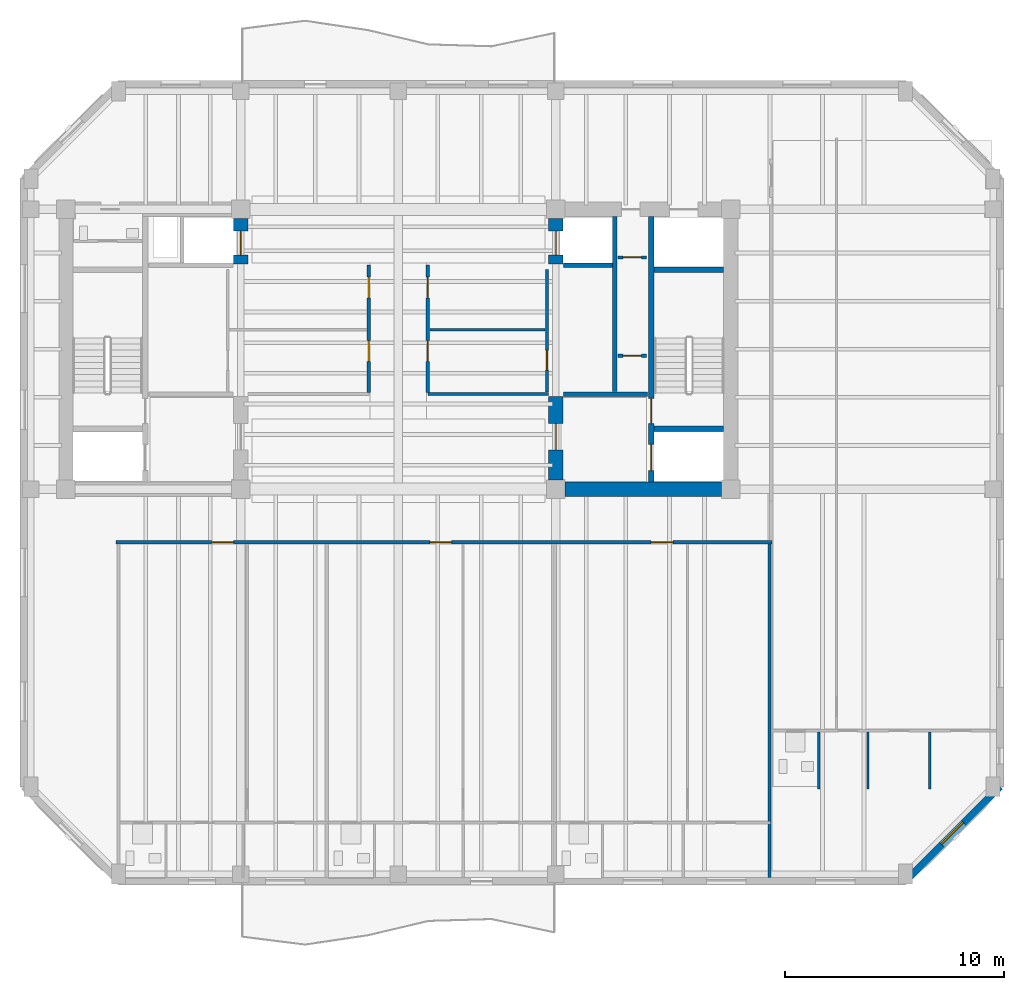
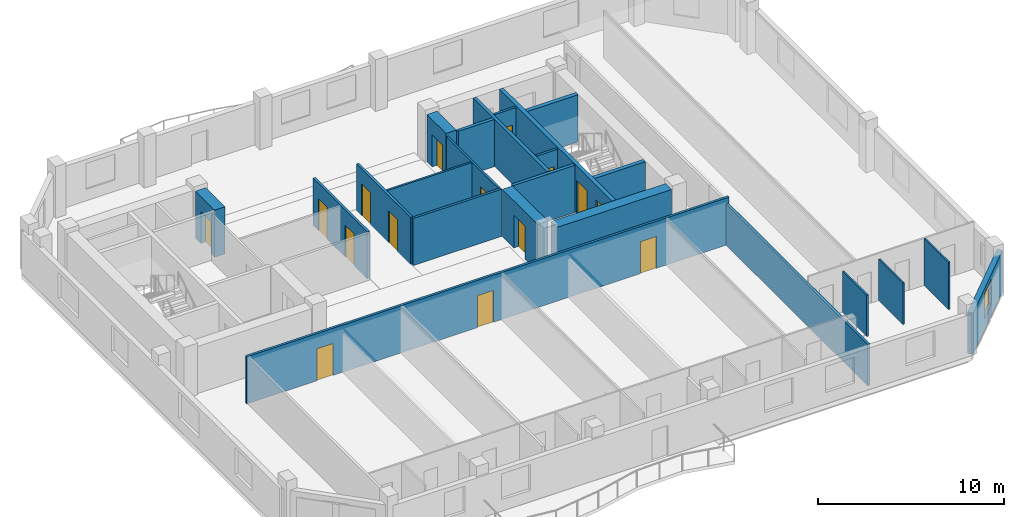
# One storey, part 4 of 10: 23 walls, 15 doors, 1 window, 16 openings.
"""IFC4 building model written with IfcOpenShell, lengths in metres."""

from ifc_helpers import new_model, si_unit, direction, frame, frame_2d, origin, place, context, subcontext, project, spatial, rectangle, extrude, material, layer, layer_set, type_object, element, fill, save


model = new_model("IFC4")

# Units and contexts
model_context = context("Model", 3, precision=1e-05, world=origin(), true_north=direction((0.0, 1.0)))
body_context = subcontext(model_context, "Body", "Model", "MODEL_VIEW")
ifc_project = project(units=[si_unit("LENGTHUNIT", "METRE"), si_unit("AREAUNIT", "SQUARE_METRE"), si_unit("VOLUMEUNIT", "CUBIC_METRE"), si_unit("PLANEANGLEUNIT", "RADIAN"), si_unit("MASSUNIT", "GRAM", prefix="KILO")], contexts=[model_context])

# Site, building, storey
site_placement = place(None, origin())
site = spatial("IfcSite", under=ifc_project, at=site_placement, CompositionType="ELEMENT")
building_placement = place(site_placement, origin())
building = spatial("IfcBuilding", under=site, at=building_placement, Name="Kranthara Brick Stack", CompositionType="ELEMENT")
storey_placement = place(building_placement, frame((0.0, 0.0, 234.699951171875)))
storey = spatial("IfcBuildingStorey", under=building, at=storey_placement, Name="L61", CompositionType="ELEMENT", Elevation=234.699951171875)

# Wall, opening, window
ifc_material_1 = material(Name="Warm buff clay brick masonry M15", Category="masonry")
ifc_layer_1 = layer(ifc_material_1, 0.320068359375)
ifc_layer_set_1 = layer_set([ifc_layer_1], Name="Warm buff clay brick masonry M15")
wall_type_1 = type_object("IfcWallType", Name="WL-BRK-UPPR-320", PredefinedType="STANDARD", material=ifc_layer_set_1)
wall_1_placement = place(storey_placement, frame((55.52001953125, 7.199951171875, 0.0), z_axis=(0.0, 0.0, 1.0), x_axis=(-0.707106781187, -0.707106781187, 0.0)))
wall_1 = element("IfcWall", 1, at=wall_1_placement, inside=storey, type_object=wall_type_1, Name="L61 Exterior Brick Facade Wall SE 1", PredefinedType="STANDARD", context=body_context, shape_type="SweptSolid", body=[
    extrude(rectangle(XDim=6.109619140625, YDim=0.320068359375, at=frame_2d((3.0546875, 0.0))), origin(), (0.0, 0.0, 1.0), 2.72509765625),
])
opening_1_placement = place(wall_1_placement, frame((2.35498046875, 0.0, 0.75)))
opening_1 = element("IfcOpeningElement", 2, at=opening_1_placement, cuts=wall_1, Name="Opening WN10", PredefinedType="OPENING", context=body_context, shape_type="SweptSolid", body=[
    extrude(rectangle(XDim=1.39990234375, YDim=1.64990234375, at=frame_2d((0.699951171875, 0.824951171875))), frame((0.0, 0.169921875, 0.0), z_axis=(0.0, -1.0, 0.0), x_axis=(1.0, 0.0, 0.0)), (0.0, 0.0, 1.0), 0.340087890625),
])
ifc_material_2 = material(Name="Double-glazed low-E solar control glass", Category="glass")
window_type = type_object("IfcWindowType", Name="WN-CHM-1400x1750", PartitioningType="SINGLE_PANEL", PredefinedType="WINDOW", material=ifc_material_2)
window_placement = place(opening_1_placement, origin())
window = element("IfcWindow", 3, at=window_placement, inside=storey, type_object=window_type, Name="L61 SE Chamfer Corner Window", OverallHeight=1.64990234375, OverallWidth=1.39990234375, PartitioningType="SINGLE_PANEL", PredefinedType="WINDOW", context=body_context, shape_type="SweptSolid", body=[
    extrude(rectangle(XDim=1.39990234375, YDim=1.64990234375, at=frame_2d((0.699951171875, 0.824951171875))), frame((0.0, -0.010009765625, 0.0), z_axis=(0.0, -1.0, 0.0), x_axis=(1.0, 0.0, 0.0)), (0.0, 0.0, 1.0), 0.06005859375),
])
fill(opening_1, window)

# Wall, openings, doors
ifc_material_3 = material(Name="Concrete C50/60", Category="concrete")
ifc_layer_2 = layer(ifc_material_3, 0.25)
ifc_layer_set_2 = layer_set([ifc_layer_2], Name="Concrete C50/60")
wall_type_2 = type_object("IfcWallType", Name="WL-CORE-250", PredefinedType="SHEAR", material=ifc_layer_set_2)
wall_2_placement = place(storey_placement, frame((39.56494140625, 21.135009765625, 0.0), z_axis=(0.0, 0.0, 1.0), x_axis=(0.0, 1.0, 0.0)))
wall_2 = element("IfcWall", 4, at=wall_2_placement, inside=storey, type_object=wall_type_2, Name="L61 East Core Stair Bearing Spine Wall", PredefinedType="SHEAR", context=body_context, shape_type="SweptSolid", body=[
    extrude(rectangle(XDim=12.1298828125, YDim=0.25, at=frame_2d((6.06494140625, 0.0))), origin(), (0.0, 0.0, 1.0), 3.10009765625),
])
opening_2_placement = place(wall_2_placement, frame((0.514892578125, 0.0, 0.0)))
opening_2 = element("IfcOpeningElement", 5, at=opening_2_placement, cuts=wall_2, Name="Opening LD01", PredefinedType="OPENING", context=body_context, shape_type="SweptSolid", body=[
    extrude(rectangle(XDim=1.199951171875, YDim=2.14990234375, at=frame_2d((0.60009765625, 1.074951171875))), frame((0.0, 0.135009765625, 0.0), z_axis=(0.0, -1.0, 0.0), x_axis=(1.0, 0.0, 0.0)), (0.0, 0.0, 1.0), 0.27001953125),
])
opening_3_placement = place(wall_2_placement, frame((2.6650390625, 0.0, 0.0)))
opening_3 = element("IfcOpeningElement", 6, at=opening_3_placement, cuts=wall_2, Name="Opening D05", PredefinedType="OPENING", context=body_context, shape_type="SweptSolid", body=[
    extrude(rectangle(XDim=1.14990234375, YDim=2.14990234375, at=frame_2d((0.574951171875, 1.074951171875))), frame((0.0, 0.135009765625, 0.0), z_axis=(0.0, -1.0, 0.0), x_axis=(1.0, 0.0, 0.0)), (0.0, 0.0, 1.0), 0.27001953125),
])
ifc_material_4 = material(Name="Stainless steel sliding landing door", Category="steel")
door_type_1 = type_object("IfcDoorType", Name="DR-LD-FF1200", OperationType="DOUBLE_DOOR_SLIDING", PredefinedType="DOOR", material=ifc_material_4)
door_1_placement = place(opening_2_placement, origin())
door_1 = element("IfcDoor", 7, at=door_1_placement, inside=storey, type_object=door_type_1, Name="L61 Firefighting Lift FF-02 Landing Door", OperationType="DOUBLE_DOOR_SLIDING", OverallHeight=2.14990234375, OverallWidth=1.199951171875, PredefinedType="DOOR", context=body_context, shape_type="SweptSolid", body=[
    extrude(rectangle(XDim=1.199951171875, YDim=2.14990234375, at=frame_2d((0.60009765625, 1.074951171875))), frame((0.0, 0.02490234375, 0.0), z_axis=(0.0, -1.0, 0.0), x_axis=(1.0, 0.0, 0.0)), (0.0, 0.0, 1.0), 0.050048828125),
])
fill(opening_2, door_1)
ifc_material_5 = material(Name="Solid-core hardwood timber leaf in steel frame", Category="steel")
door_type_2 = type_object("IfcDoorType", Name="DR-ST-1150", OperationType="NOTDEFINED", PredefinedType="DOOR", material=ifc_material_5)
door_2_placement = place(opening_3_placement, origin())
door_2 = element("IfcDoor", 8, at=door_2_placement, inside=storey, type_object=door_type_2, Name="L61 Exit Stair ST02 Door", OperationType="SINGLE_SWING_LEFT", OverallHeight=2.14990234375, OverallWidth=1.14990234375, PredefinedType="DOOR", context=body_context, shape_type="SweptSolid", body=[
    extrude(rectangle(XDim=1.14990234375, YDim=2.14990234375, at=frame_2d((0.574951171875, 1.074951171875))), frame((0.0, 0.02490234375, 0.0), z_axis=(0.0, -1.0, 0.0), x_axis=(1.0, 0.0, 0.0)), (0.0, 0.0, 1.0), 0.050048828125),
])
fill(opening_3, door_2)

# Walls
for number, where, z_axis, x_axis, name in (
    (9, (39.68994140625, 23.570068359375, 0.0), (0.0, 0.0, 1.0), (1.0, 0.0, 0.0), "L61 East Stairwell Bearing Wall EFF"),
    (10, (39.68994140625, 30.830078125, 0.0), (0.0, 0.0, 1.0), (1.0, 0.0, 0.0), "L61 East Stairwell Bearing Wall EST"),
):
    element("IfcWall", number, at=place(storey_placement, frame(where, z_axis=z_axis, x_axis=x_axis)), inside=storey, type_object=wall_type_2, Name=name, PredefinedType="SHEAR", context=body_context, shape_type="SweptSolid", body=[
        extrude(rectangle(XDim=3.175048828125, YDim=0.25, at=frame_2d((1.58740234375, 0.0))), origin(), (0.0, 0.0, 1.0), 3.10009765625),
    ])

# Wall, opening, door
ifc_material_6 = material(Name="Concrete C60/75", Category="concrete")
ifc_layer_3 = layer(ifc_material_6, 0.64990234375)
ifc_layer_set_3 = layer_set([ifc_layer_3], Name="Concrete C60/75")
wall_type_3 = type_object("IfcWallType", Name="WL-CORE-650", PredefinedType="SHEAR", material=ifc_layer_set_3)
wall_3_placement = place(storey_placement, frame((20.800048828125, 31.10009765625, 0.0), z_axis=(0.0, 0.0, 1.0), x_axis=(0.0, 1.0, 0.0)))
wall_3 = element("IfcWall", 11, at=wall_3_placement, inside=storey, type_object=wall_type_3, Name="L61 West Core High-Rise Lift Wall", PredefinedType="SHEAR", context=body_context, shape_type="SweptSolid", body=[
    extrude(rectangle(XDim=2.06982421875, YDim=0.64990234375, at=frame_2d((1.034912109375, 0.0))), origin(), (0.0, 0.0, 1.0), 3.10009765625),
])
opening_4_placement = place(wall_3_placement, frame((0.39990234375, 0.0, 0.0)))
opening_4 = element("IfcOpeningElement", 12, at=opening_4_placement, cuts=wall_3, Name="Opening LD02", PredefinedType="OPENING", context=body_context, shape_type="SweptSolid", body=[
    extrude(rectangle(XDim=1.10009765625, YDim=2.10009765625, at=frame_2d((0.550048828125, 1.050048828125))), frame((0.0, 0.3349609375, 0.0), z_axis=(0.0, -1.0, 0.0), x_axis=(1.0, 0.0, 0.0)), (0.0, 0.0, 1.0), 0.669921875),
])
ifc_material_7 = material(Name="Stainless steel sliding landing door", Category="steel")
door_type_3 = type_object("IfcDoorType", Name="DR-LD-PL1100", OperationType="DOUBLE_DOOR_SLIDING", PredefinedType="DOOR", material=ifc_material_7)
door_3_placement = place(opening_4_placement, origin())
door_3 = element("IfcDoor", 13, at=door_3_placement, inside=storey, type_object=door_type_3, Name="L61 PL-07 Lift Landing Door", OperationType="DOUBLE_DOOR_SLIDING", OverallHeight=2.10009765625, OverallWidth=1.10009765625, PredefinedType="DOOR", context=body_context, shape_type="SweptSolid", body=[
    extrude(rectangle(XDim=1.10009765625, YDim=2.10009765625, at=frame_2d((0.550048828125, 1.050048828125))), frame((0.0, 0.02490234375, 0.0), z_axis=(0.0, -1.0, 0.0), x_axis=(1.0, 0.0, 0.0)), (0.0, 0.0, 1.0), 0.050048828125),
])
fill(opening_4, door_3)

# Wall
wall_4_placement = place(storey_placement, frame((35.6298828125, 20.800048828125, 0.0), z_axis=(0.0, 0.0, 1.0), x_axis=(1.0, 0.0, 0.0)))
element("IfcWall", 14, at=wall_4_placement, inside=storey, type_object=wall_type_3, Name="L61 East Core Shear Wall South", PredefinedType="SHEAR", context=body_context, shape_type="SweptSolid", body=[
    extrude(rectangle(XDim=7.14013671875, YDim=0.64990234375, at=frame_2d((3.570068359375, 0.0))), origin(), (0.0, 0.0, 1.0), 3.10009765625),
])

# Wall, opening, door
wall_5_placement = place(storey_placement, frame((35.199951171875, 21.22998046875, 0.0), z_axis=(0.0, 0.0, 1.0), x_axis=(0.0, 1.0, 0.0)))
wall_5 = element("IfcWall", 15, at=wall_5_placement, inside=storey, type_object=wall_type_3, Name="L61 East Core Lobby Shear Wall", PredefinedType="SHEAR", context=body_context, shape_type="SweptSolid", body=[
    extrude(rectangle(XDim=3.820068359375, YDim=0.64990234375, at=frame_2d((1.91015625, 0.0))), origin(), (0.0, 0.0, 1.0), 3.10009765625),
])
opening_5_placement = place(wall_5_placement, frame((1.3701171875, 0.0, 0.0)))
opening_5 = element("IfcOpeningElement", 16, at=opening_5_placement, cuts=wall_5, Name="Opening D06", PredefinedType="OPENING", context=body_context, shape_type="SweptSolid", body=[
    extrude(rectangle(XDim=1.199951171875, YDim=2.14990234375, at=frame_2d((0.60009765625, 1.074951171875))), frame((0.0, 0.3349609375, 0.0), z_axis=(0.0, -1.0, 0.0), x_axis=(1.0, 0.0, 0.0)), (0.0, 0.0, 1.0), 0.669921875),
])
ifc_material_8 = material(Name="Solid-core hardwood timber leaf in steel frame", Category="steel")
door_type_4 = type_object("IfcDoorType", Name="DR-FFL-1200", OperationType="NOTDEFINED", PredefinedType="DOOR", material=ifc_material_8)
door_4_placement = place(opening_5_placement, origin())
door_4 = element("IfcDoor", 17, at=door_4_placement, inside=storey, type_object=door_type_4, Name="L61 East Firefighting Lobby Door", OperationType="SINGLE_SWING_RIGHT", OverallHeight=2.14990234375, OverallWidth=1.199951171875, PredefinedType="DOOR", context=body_context, shape_type="SweptSolid", body=[
    extrude(rectangle(XDim=1.199951171875, YDim=2.14990234375, at=frame_2d((0.60009765625, 1.074951171875))), frame((0.0, 0.02490234375, 0.0), z_axis=(0.0, -1.0, 0.0), x_axis=(1.0, 0.0, 0.0)), (0.0, 0.0, 1.0), 0.050048828125),
])
fill(opening_5, door_4)

wall_6_placement = place(storey_placement, frame((35.199951171875, 31.10009765625, 0.0), z_axis=(0.0, 0.0, 1.0), x_axis=(0.0, 1.0, 0.0)))
wall_6 = element("IfcWall", 18, at=wall_6_placement, inside=storey, type_object=wall_type_3, Name="L61 East Core High-Rise Lift Wall", PredefinedType="SHEAR", context=body_context, shape_type="SweptSolid", body=[
    extrude(rectangle(XDim=2.06982421875, YDim=0.64990234375, at=frame_2d((1.034912109375, 0.0))), origin(), (0.0, 0.0, 1.0), 3.10009765625),
])
opening_6_placement = place(wall_6_placement, frame((0.39990234375, 0.0, 0.0)))
opening_6 = element("IfcOpeningElement", 19, at=opening_6_placement, cuts=wall_6, Name="Opening LD02", PredefinedType="OPENING", context=body_context, shape_type="SweptSolid", body=[
    extrude(rectangle(XDim=1.10009765625, YDim=2.10009765625, at=frame_2d((0.550048828125, 1.050048828125))), frame((0.0, 0.3349609375, 0.0), z_axis=(0.0, -1.0, 0.0), x_axis=(1.0, 0.0, 0.0)), (0.0, 0.0, 1.0), 0.669921875),
])
door_5_placement = place(opening_6_placement, origin())
door_5 = element("IfcDoor", 20, at=door_5_placement, inside=storey, type_object=door_type_3, Name="L61 PL-08 Lift Landing Door", OperationType="DOUBLE_DOOR_SLIDING", OverallHeight=2.10009765625, OverallWidth=1.10009765625, PredefinedType="DOOR", context=body_context, shape_type="SweptSolid", body=[
    extrude(rectangle(XDim=1.10009765625, YDim=2.10009765625, at=frame_2d((0.550048828125, 1.050048828125))), frame((0.0, 0.02490234375, 0.0), z_axis=(0.0, -1.0, 0.0), x_axis=(1.0, 0.0, 0.0)), (0.0, 0.0, 1.0), 0.050048828125),
])
fill(opening_6, door_5)

# Walls
ifc_material_9 = material(Name="Moisture-resistant wet-room partition", Category="other")
ifc_layer_4 = layer(ifc_material_9, 0.10009765625)
ifc_layer_set_4 = layer_set([ifc_layer_4], Name="Moisture-resistant wet-room partition")
wall_type_4 = type_object("IfcWallType", Name="WL-PART-100", PredefinedType="PARTITIONING", material=ifc_layer_set_4)
for number, where, z_axis, x_axis, name in (
    (21, (47.22412109375, 7.080078125, 0.0), (0.0, 0.0, 1.0), (0.0, 1.0, 0.0), "L61 Interior Partition 036"),
    (22, (49.48193359375, 7.080078125, 0.0), (0.0, 0.0, 1.0), (0.0, 1.0, 0.0), "L61 Interior Partition 037"),
):
    element("IfcWall", number, at=place(storey_placement, frame(where, z_axis=z_axis, x_axis=x_axis)), inside=storey, type_object=wall_type_4, Name=name, PredefinedType="PARTITIONING", context=body_context, shape_type="SweptSolid", body=[
        extrude(rectangle(XDim=2.614990234375, YDim=0.10009765625, at=frame_2d((1.3076171875, 0.0))), origin(), (0.0, 0.0, 1.0), 2.72509765625),
    ])
wall_7_placement = place(storey_placement, frame((52.305908203125, 7.080078125, 0.0), z_axis=(0.0, 0.0, 1.0), x_axis=(0.0, 1.0, 0.0)))
element("IfcWall", 23, at=wall_7_placement, inside=storey, type_object=wall_type_4, Name="L61 Interior Partition 038", PredefinedType="PARTITIONING", context=body_context, shape_type="SweptSolid", body=[
    extrude(rectangle(XDim=2.614990234375, YDim=0.10009765625, at=frame_2d((1.3076171875, 0.0))), origin(), (0.0, 0.0, 1.0), 3.10009765625),
])

# Wall, opening, door
ifc_material_10 = material(Name="Acoustic gypsum plasterboard partition", Category="other")
ifc_layer_5 = layer(ifc_material_10, 0.1201171875)
ifc_layer_set_5 = layer_set([ifc_layer_5], Name="Acoustic gypsum plasterboard partition")
wall_type_5 = type_object("IfcWallType", Name="WL-PART-120", PredefinedType="PARTITIONING", material=ifc_layer_set_5)
wall_8_placement = place(storey_placement, frame((34.800048828125, 25.25, 0.0), z_axis=(0.0, 0.0, 1.0), x_axis=(0.0, 1.0, 0.0)))
wall_8 = element("IfcWall", 24, at=wall_8_placement, inside=storey, type_object=wall_type_5, Name="L61 Interior Partition 010", PredefinedType="PARTITIONING", context=body_context, shape_type="SweptSolid", body=[
    extrude(rectangle(XDim=5.60009765625, YDim=0.1201171875, at=frame_2d((2.800048828125, 0.0))), origin(), (0.0, 0.0, 1.0), 3.10009765625),
])
opening_7_placement = place(wall_8_placement, frame((1.0, 0.0, 0.0)))
opening_7 = element("IfcOpeningElement", 25, at=opening_7_placement, cuts=wall_8, Name="Opening D15", PredefinedType="OPENING", context=body_context, shape_type="SweptSolid", body=[
    extrude(rectangle(XDim=0.89990234375, YDim=2.050048828125, at=frame_2d((0.449951171875, 1.02490234375))), frame((0.0, 0.070068359375, 0.0), z_axis=(0.0, -1.0, 0.0), x_axis=(1.0, 0.0, 0.0)), (0.0, 0.0, 1.0), 0.14013671875),
])
ifc_material_11 = material(Name="Solid-core hardwood timber leaf in steel frame", Category="steel")
door_type_5 = type_object("IfcDoorType", Name="DR-INT-900", OperationType="NOTDEFINED", PredefinedType="DOOR", material=ifc_material_11)
door_6_placement = place(opening_7_placement, origin())
door_6 = element("IfcDoor", 26, at=door_6_placement, inside=storey, type_object=door_type_5, Name="L61 Yoga Studio Door 07", OperationType="SINGLE_SWING_LEFT", OverallHeight=2.050048828125, OverallWidth=0.89990234375, PredefinedType="DOOR", context=body_context, shape_type="SweptSolid", body=[
    extrude(rectangle(XDim=0.89990234375, YDim=2.050048828125, at=frame_2d((0.449951171875, 1.02490234375))), frame((0.0, 0.02490234375, 0.0), z_axis=(0.0, -1.0, 0.0), x_axis=(1.0, 0.0, 0.0)), (0.0, 0.0, 1.0), 0.050048828125),
])
fill(opening_7, door_6)

# Wall
wall_9_placement = place(storey_placement, frame((29.449951171875, 28.10009765625, 0.0), z_axis=(0.0, 0.0, 1.0), x_axis=(1.0, 0.0, 0.0)))
element("IfcWall", 27, at=wall_9_placement, inside=storey, type_object=wall_type_5, Name="L61 Interior Partition 011", PredefinedType="PARTITIONING", context=body_context, shape_type="SweptSolid", body=[
    extrude(rectangle(XDim=5.27001953125, YDim=0.1201171875, at=frame_2d((2.635009765625, 0.0))), origin(), (0.0, 0.0, 1.0), 3.10009765625),
])

# Wall, opening, door
ifc_material_12 = material(Name="Fire-rated gypsum board partition", Category="other")
ifc_layer_6 = layer(ifc_material_12, 0.14990234375)
ifc_layer_set_6 = layer_set([ifc_layer_6], Name="Fire-rated gypsum board partition")
wall_type_6 = type_object("IfcWallType", Name="WL-PART-150", PredefinedType="PARTITIONING", material=ifc_layer_set_6)
wall_10_placement = place(storey_placement, frame((38.050048828125, 26.89990234375, 0.0), z_axis=(0.0, 0.0, 1.0), x_axis=(1.0, 0.0, 0.0)))
wall_10 = element("IfcWall", 28, at=wall_10_placement, inside=storey, type_object=wall_type_6, Name="L61 Interior Partition 002", PredefinedType="PARTITIONING", context=body_context, shape_type="SweptSolid", body=[
    extrude(rectangle(XDim=1.300048828125, YDim=0.14990234375, at=frame_2d((0.64990234375, 0.0))), origin(), (0.0, 0.0, 1.0), 3.10009765625),
])
opening_8_placement = place(wall_10_placement, frame((0.219970703125, 0.0, 0.0)))
opening_8 = element("IfcOpeningElement", 29, at=opening_8_placement, cuts=wall_10, Name="Opening D10", PredefinedType="OPENING", context=body_context, shape_type="SweptSolid", body=[
    extrude(rectangle(XDim=0.85009765625, YDim=2.02001953125, at=frame_2d((0.425048828125, 1.010009765625))), frame((0.0, 0.0849609375, 0.0), z_axis=(0.0, -1.0, 0.0), x_axis=(1.0, 0.0, 0.0)), (0.0, 0.0, 1.0), 0.169921875),
])
ifc_material_13 = material(Name="Solid-core hardwood timber leaf in steel frame", Category="steel")
door_type_6 = type_object("IfcDoorType", Name="DR-RSR-850", OperationType="NOTDEFINED", PredefinedType="DOOR", material=ifc_material_13)
door_7_placement = place(opening_8_placement, origin())
door_7 = element("IfcDoor", 30, at=door_7_placement, inside=storey, type_object=door_type_6, Name="L61 East Valve Door 02", OperationType="SINGLE_SWING_RIGHT", OverallHeight=2.02001953125, OverallWidth=0.85009765625, PredefinedType="DOOR", context=body_context, shape_type="SweptSolid", body=[
    extrude(rectangle(XDim=0.85009765625, YDim=2.02001953125, at=frame_2d((0.425048828125, 1.010009765625))), frame((0.0, 0.02490234375, 0.0), z_axis=(0.0, -1.0, 0.0), x_axis=(1.0, 0.0, 0.0)), (0.0, 0.0, 1.0), 0.050048828125),
])
fill(opening_8, door_7)

wall_11_placement = place(storey_placement, frame((38.050048828125, 31.39990234375, 0.0), z_axis=(0.0, 0.0, 1.0), x_axis=(1.0, 0.0, 0.0)))
wall_11 = element("IfcWall", 31, at=wall_11_placement, inside=storey, type_object=wall_type_6, Name="L61 Interior Partition 003", PredefinedType="PARTITIONING", context=body_context, shape_type="SweptSolid", body=[
    extrude(rectangle(XDim=1.300048828125, YDim=0.14990234375, at=frame_2d((0.64990234375, 0.0))), origin(), (0.0, 0.0, 1.0), 3.10009765625),
])
opening_9_placement = place(wall_11_placement, frame((0.219970703125, 0.0, 0.0)))
opening_9 = element("IfcOpeningElement", 32, at=opening_9_placement, cuts=wall_11, Name="Opening D10", PredefinedType="OPENING", context=body_context, shape_type="SweptSolid", body=[
    extrude(rectangle(XDim=0.85009765625, YDim=2.02001953125, at=frame_2d((0.425048828125, 1.010009765625))), frame((0.0, 0.0849609375, 0.0), z_axis=(0.0, -1.0, 0.0), x_axis=(1.0, 0.0, 0.0)), (0.0, 0.0, 1.0), 0.169921875),
])
door_8_placement = place(opening_9_placement, origin())
door_8 = element("IfcDoor", 33, at=door_8_placement, inside=storey, type_object=door_type_6, Name="L61 East Switch Door 03", OperationType="SINGLE_SWING_LEFT", OverallHeight=2.02001953125, OverallWidth=0.85009765625, PredefinedType="DOOR", context=body_context, shape_type="SweptSolid", body=[
    extrude(rectangle(XDim=0.85009765625, YDim=2.02001953125, at=frame_2d((0.425048828125, 1.010009765625))), frame((0.0, 0.02490234375, 0.0), z_axis=(0.0, -1.0, 0.0), x_axis=(1.0, 0.0, 0.0)), (0.0, 0.0, 1.0), 0.050048828125),
])
fill(opening_9, door_8)

# Wall
wall_12_placement = place(storey_placement, frame((29.35009765625, 25.14990234375, 0.0), z_axis=(0.0, 0.0, 1.0), x_axis=(1.0, 0.0, 0.0)))
element("IfcWall", 34, at=wall_12_placement, inside=storey, type_object=wall_type_6, Name="L61 Interior Partition 005", PredefinedType="PARTITIONING", context=body_context, shape_type="SweptSolid", body=[
    extrude(rectangle(XDim=5.52001953125, YDim=0.14990234375, at=frame_2d((2.760009765625, 0.0))), origin(), (0.0, 0.0, 1.0), 3.10009765625),
])

# Wall, openings, doors
wall_13_placement = place(storey_placement, frame((26.64990234375, 25.22998046875, 0.0), z_axis=(0.0, 0.0, 1.0), x_axis=(0.0, 1.0, 0.0)))
wall_13 = element("IfcWall", 35, at=wall_13_placement, inside=storey, type_object=wall_type_6, Name="L61 Interior Partition 006", PredefinedType="PARTITIONING", context=body_context, shape_type="SweptSolid", body=[
    extrude(rectangle(XDim=5.820068359375, YDim=0.14990234375, at=frame_2d((2.91015625, 0.0))), origin(), (0.0, 0.0, 1.0), 3.10009765625),
])
opening_10_placement = place(wall_13_placement, frame((1.419921875, 0.0, 0.0)))
opening_10 = element("IfcOpeningElement", 36, at=opening_10_placement, cuts=wall_13, Name="Opening D09", PredefinedType="OPENING", context=body_context, shape_type="SweptSolid", body=[
    extrude(rectangle(XDim=0.949951171875, YDim=2.10009765625, at=frame_2d((0.47509765625, 1.050048828125))), frame((0.0, 0.0849609375, 0.0), z_axis=(0.0, -1.0, 0.0), x_axis=(1.0, 0.0, 0.0)), (0.0, 0.0, 1.0), 0.169921875),
])
opening_11_placement = place(wall_13_placement, frame((4.320068359375, 0.0, 0.0)))
opening_11 = element("IfcOpeningElement", 37, at=opening_11_placement, cuts=wall_13, Name="Opening D09", PredefinedType="OPENING", context=body_context, shape_type="SweptSolid", body=[
    extrude(rectangle(XDim=0.949951171875, YDim=2.10009765625, at=frame_2d((0.47509765625, 1.050048828125))), frame((0.0, 0.0849609375, 0.0), z_axis=(0.0, -1.0, 0.0), x_axis=(1.0, 0.0, 0.0)), (0.0, 0.0, 1.0), 0.169921875),
])
ifc_material_14 = material(Name="Solid-core hardwood timber leaf in steel frame", Category="steel")
door_type_7 = type_object("IfcDoorType", Name="DR-FD-950", OperationType="NOTDEFINED", PredefinedType="DOOR", material=ifc_material_14)
door_9_placement = place(opening_10_placement, origin())
door_9 = element("IfcDoor", 38, at=door_9_placement, inside=storey, type_object=door_type_7, Name="L61 Sky Club Reading Room 05", OperationType="SINGLE_SWING_LEFT", OverallHeight=2.10009765625, OverallWidth=0.949951171875, PredefinedType="DOOR", context=body_context, shape_type="SweptSolid", body=[
    extrude(rectangle(XDim=0.949951171875, YDim=2.10009765625, at=frame_2d((0.47509765625, 1.050048828125))), frame((0.0, 0.02490234375, 0.0), z_axis=(0.0, -1.0, 0.0), x_axis=(1.0, 0.0, 0.0)), (0.0, 0.0, 1.0), 0.050048828125),
])
fill(opening_10, door_9)
door_10_placement = place(opening_11_placement, origin())
door_10 = element("IfcDoor", 39, at=door_10_placement, inside=storey, type_object=door_type_7, Name="L61 Sky Club Card Salon 06", OperationType="SINGLE_SWING_RIGHT", OverallHeight=2.10009765625, OverallWidth=0.949951171875, PredefinedType="DOOR", context=body_context, shape_type="SweptSolid", body=[
    extrude(rectangle(XDim=0.949951171875, YDim=2.10009765625, at=frame_2d((0.47509765625, 1.050048828125))), frame((0.0, 0.02490234375, 0.0), z_axis=(0.0, -1.0, 0.0), x_axis=(1.0, 0.0, 0.0)), (0.0, 0.0, 1.0), 0.050048828125),
])
fill(opening_11, door_10)

wall_14_placement = place(storey_placement, frame((29.35009765625, 25.22998046875, 0.0), z_axis=(0.0, 0.0, 1.0), x_axis=(0.0, 1.0, 0.0)))
wall_14 = element("IfcWall", 40, at=wall_14_placement, inside=storey, type_object=wall_type_6, Name="L61 Interior Partition 009", PredefinedType="PARTITIONING", context=body_context, shape_type="SweptSolid", body=[
    extrude(rectangle(XDim=5.820068359375, YDim=0.14990234375, at=frame_2d((2.91015625, 0.0))), origin(), (0.0, 0.0, 1.0), 3.10009765625),
])
opening_12_placement = place(wall_14_placement, frame((1.419921875, 0.0, 0.0)))
opening_12 = element("IfcOpeningElement", 41, at=opening_12_placement, cuts=wall_14, Name="Opening D09", PredefinedType="OPENING", context=body_context, shape_type="SweptSolid", body=[
    extrude(rectangle(XDim=0.949951171875, YDim=2.10009765625, at=frame_2d((0.47509765625, 1.050048828125))), frame((0.0, 0.0849609375, 0.0), z_axis=(0.0, -1.0, 0.0), x_axis=(1.0, 0.0, 0.0)), (0.0, 0.0, 1.0), 0.169921875),
])
opening_13_placement = place(wall_14_placement, frame((4.320068359375, 0.0, 0.0)))
opening_13 = element("IfcOpeningElement", 42, at=opening_13_placement, cuts=wall_14, Name="Opening D09", PredefinedType="OPENING", context=body_context, shape_type="SweptSolid", body=[
    extrude(rectangle(XDim=0.949951171875, YDim=2.10009765625, at=frame_2d((0.47509765625, 1.050048828125))), frame((0.0, 0.0849609375, 0.0), z_axis=(0.0, -1.0, 0.0), x_axis=(1.0, 0.0, 0.0)), (0.0, 0.0, 1.0), 0.169921875),
])
door_11_placement = place(opening_12_placement, origin())
door_11 = element("IfcDoor", 43, at=door_11_placement, inside=storey, type_object=door_type_7, Name="L61 Drawing Salon 08", OperationType="SINGLE_SWING_RIGHT", OverallHeight=2.10009765625, OverallWidth=0.949951171875, PredefinedType="DOOR", context=body_context, shape_type="SweptSolid", body=[
    extrude(rectangle(XDim=0.949951171875, YDim=2.10009765625, at=frame_2d((0.47509765625, 1.050048828125))), frame((0.0, 0.02490234375, 0.0), z_axis=(0.0, -1.0, 0.0), x_axis=(1.0, 0.0, 0.0)), (0.0, 0.0, 1.0), 0.050048828125),
])
fill(opening_12, door_11)
door_12_placement = place(opening_13_placement, origin())
door_12 = element("IfcDoor", 44, at=door_12_placement, inside=storey, type_object=door_type_7, Name="L61 Board Games Room 09", OperationType="SINGLE_SWING_LEFT", OverallHeight=2.10009765625, OverallWidth=0.949951171875, PredefinedType="DOOR", context=body_context, shape_type="SweptSolid", body=[
    extrude(rectangle(XDim=0.949951171875, YDim=2.10009765625, at=frame_2d((0.47509765625, 1.050048828125))), frame((0.0, 0.02490234375, 0.0), z_axis=(0.0, -1.0, 0.0), x_axis=(1.0, 0.0, 0.0)), (0.0, 0.0, 1.0), 0.050048828125),
])
fill(opening_13, door_12)

wall_15_placement = place(storey_placement, frame((15.080078125, 18.3798828125, 0.0), z_axis=(0.0, 0.0, 1.0), x_axis=(1.0, 0.0, 0.0)))
wall_15 = element("IfcWall", 45, at=wall_15_placement, inside=storey, type_object=wall_type_6, Name="L61 Interior Partition 012", PredefinedType="PARTITIONING", context=body_context, shape_type="SweptSolid", body=[
    extrude(rectangle(XDim=30.02001953125, YDim=0.14990234375, at=frame_2d((15.010009765625, 0.0))), origin(), (0.0, 0.0, 1.0), 3.10009765625),
])
opening_14_placement = place(wall_15_placement, frame((4.385009765625, 0.0, 0.0)))
opening_14 = element("IfcOpeningElement", 46, at=opening_14_placement, cuts=wall_15, Name="Opening D08", PredefinedType="OPENING", context=body_context, shape_type="SweptSolid", body=[
    extrude(rectangle(XDim=1.0, YDim=2.10009765625, at=frame_2d((0.5, 1.050048828125))), frame((0.0, 0.0849609375, 0.0), z_axis=(0.0, -1.0, 0.0), x_axis=(1.0, 0.0, 0.0)), (0.0, 0.0, 1.0), 0.169921875),
])
opening_15_placement = place(wall_15_placement, frame((14.361083984375, 0.0, 0.0)))
opening_15 = element("IfcOpeningElement", 47, at=opening_15_placement, cuts=wall_15, Name="Opening D08", PredefinedType="OPENING", context=body_context, shape_type="SweptSolid", body=[
    extrude(rectangle(XDim=1.0, YDim=2.10009765625, at=frame_2d((0.5, 1.050048828125))), frame((0.0, 0.0849609375, 0.0), z_axis=(0.0, -1.0, 0.0), x_axis=(1.0, 0.0, 0.0)), (0.0, 0.0, 1.0), 0.169921875),
])
opening_16_placement = place(wall_15_placement, frame((24.486083984375, 0.0, 0.0)))
opening_16 = element("IfcOpeningElement", 48, at=opening_16_placement, cuts=wall_15, Name="Opening D08", PredefinedType="OPENING", context=body_context, shape_type="SweptSolid", body=[
    extrude(rectangle(XDim=1.0, YDim=2.10009765625, at=frame_2d((0.5, 1.050048828125))), frame((0.0, 0.0849609375, 0.0), z_axis=(0.0, -1.0, 0.0), x_axis=(1.0, 0.0, 0.0)), (0.0, 0.0, 1.0), 0.169921875),
])
ifc_material_15 = material(Name="Solid-core hardwood timber leaf in steel frame", Category="steel")
door_type_8 = type_object("IfcDoorType", Name="DR-FD-1000", OperationType="NOTDEFINED", PredefinedType="DOOR", material=ifc_material_15)
door_13_placement = place(opening_14_placement, origin())
door_13 = element("IfcDoor", 49, at=door_13_placement, inside=storey, type_object=door_type_8, Name="L61 Unit L61A Entrance 10", OperationType="SINGLE_SWING_RIGHT", OverallHeight=2.10009765625, OverallWidth=1.0, PredefinedType="DOOR", context=body_context, shape_type="SweptSolid", body=[
    extrude(rectangle(XDim=1.0, YDim=2.10009765625, at=frame_2d((0.5, 1.050048828125))), frame((0.0, 0.02490234375, 0.0), z_axis=(0.0, -1.0, 0.0), x_axis=(1.0, 0.0, 0.0)), (0.0, 0.0, 1.0), 0.050048828125),
])
fill(opening_14, door_13)
door_14_placement = place(opening_15_placement, origin())
door_14 = element("IfcDoor", 50, at=door_14_placement, inside=storey, type_object=door_type_8, Name="L61 Unit L61B Entrance 15", OperationType="SINGLE_SWING_LEFT", OverallHeight=2.10009765625, OverallWidth=1.0, PredefinedType="DOOR", context=body_context, shape_type="SweptSolid", body=[
    extrude(rectangle(XDim=1.0, YDim=2.10009765625, at=frame_2d((0.5, 1.050048828125))), frame((0.0, 0.02490234375, 0.0), z_axis=(0.0, -1.0, 0.0), x_axis=(1.0, 0.0, 0.0)), (0.0, 0.0, 1.0), 0.050048828125),
])
fill(opening_15, door_14)
door_15_placement = place(opening_16_placement, origin())
door_15 = element("IfcDoor", 51, at=door_15_placement, inside=storey, type_object=door_type_8, Name="L61 Unit L61C Entrance 20", OperationType="SINGLE_SWING_RIGHT", OverallHeight=2.10009765625, OverallWidth=1.0, PredefinedType="DOOR", context=body_context, shape_type="SweptSolid", body=[
    extrude(rectangle(XDim=1.0, YDim=2.10009765625, at=frame_2d((0.5, 1.050048828125))), frame((0.0, 0.02490234375, 0.0), z_axis=(0.0, -1.0, 0.0), x_axis=(1.0, 0.0, 0.0)), (0.0, 0.0, 1.0), 0.050048828125),
])
fill(opening_16, door_15)

# Walls
wall_16_placement = place(storey_placement, frame((44.97998046875, 3.044921875, 0.0), z_axis=(0.0, 0.0, 1.0), x_axis=(0.0, 1.0, 0.0)))
element("IfcWall", 52, at=wall_16_placement, inside=storey, type_object=wall_type_6, Name="L61 Interior Partition 028", PredefinedType="PARTITIONING", context=body_context, shape_type="SweptSolid", body=[
    extrude(rectangle(XDim=15.255126953125, YDim=0.14990234375, at=frame_2d((7.62744140625, 0.0))), origin(), (0.0, 0.0, 1.0), 2.72509765625),
])
ifc_material_16 = material(Name="Concrete C40/50", Category="concrete")
ifc_layer_7 = layer(ifc_material_16, 0.199951171875)
ifc_layer_set_7 = layer_set([ifc_layer_7], Name="Concrete C40/50")
wall_type_7 = type_object("IfcWallType", Name="WL-PART-200", PredefinedType="SOLIDWALL", material=ifc_layer_set_7)
wall_17_placement = place(storey_placement, frame((35.550048828125, 25.14990234375, 0.0), z_axis=(0.0, 0.0, 1.0), x_axis=(1.0, 0.0, 0.0)))
element("IfcWall", 53, at=wall_17_placement, inside=storey, type_object=wall_type_7, Name="L61 East Core Cross Wall EFL", PredefinedType="SOLIDWALL", context=body_context, shape_type="SweptSolid", body=[
    extrude(rectangle(XDim=3.849853515625, YDim=0.199951171875, at=frame_2d((1.9248046875, 0.0))), origin(), (0.0, 0.0, 1.0), 3.10009765625),
])
wall_18_placement = place(storey_placement, frame((35.550048828125, 31.050048828125, 0.0), z_axis=(0.0, 0.0, 1.0), x_axis=(1.0, 0.0, 0.0)))
element("IfcWall", 54, at=wall_18_placement, inside=storey, type_object=wall_type_7, Name="L61 East Core Cross Wall EE4", PredefinedType="SOLIDWALL", context=body_context, shape_type="SweptSolid", body=[
    extrude(rectangle(XDim=2.25, YDim=0.199951171875, at=frame_2d((1.125, 0.0))), origin(), (0.0, 0.0, 1.0), 3.10009765625),
])
wall_19_placement = place(storey_placement, frame((37.89990234375, 25.27001953125, 0.0), z_axis=(0.0, 0.0, 1.0), x_axis=(0.0, 1.0, 0.0)))
element("IfcWall", 55, at=wall_19_placement, inside=storey, type_object=wall_type_7, Name="L61 East Core Cross Wall ESV", PredefinedType="SOLIDWALL", context=body_context, shape_type="SweptSolid", body=[
    extrude(rectangle(XDim=7.994873046875, YDim=0.199951171875, at=frame_2d((3.99755859375, 0.0))), origin(), (0.0, 0.0, 1.0), 3.10009765625),
])

save(model, "model.ifc")
